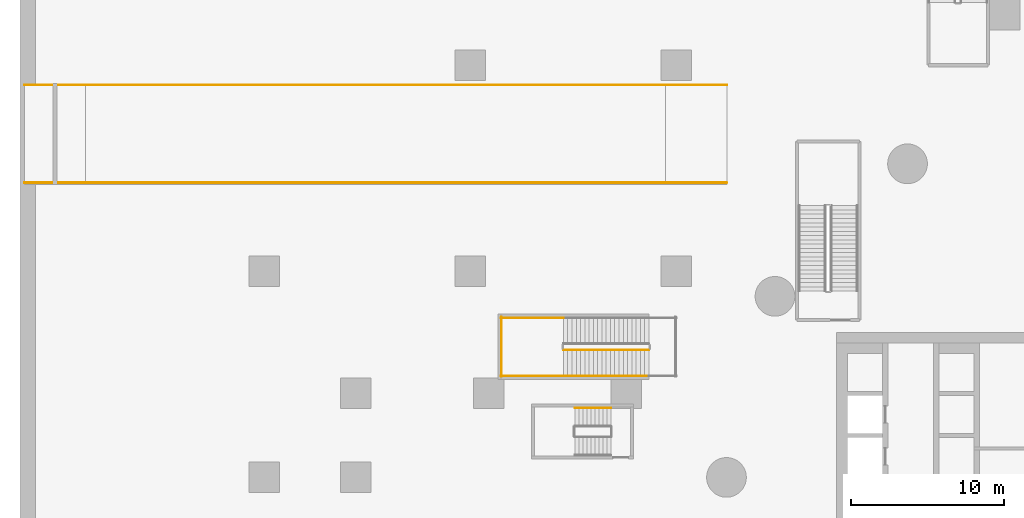
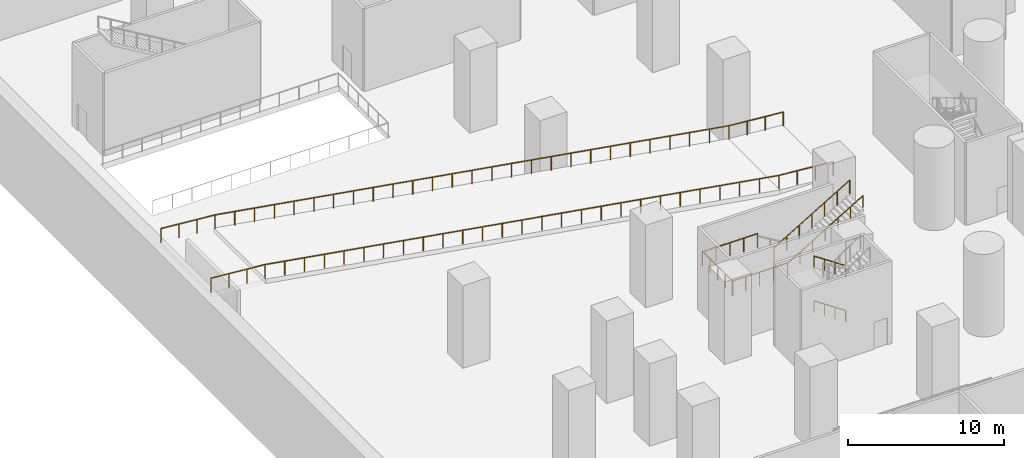
# One storey, part 28 of 37: 9 railings.
"""IFC4 building model written with IfcOpenShell, lengths in metres."""

from ifc_helpers import new_model, si_unit, direction, frame, origin, origin_2d, place, context, subcontext, project, spatial, circle, extrude, material, type_object, element, save


model = new_model("IFC4")

# Units and contexts
model_context = context("Model", 3, precision=1e-05, world=origin(), true_north=direction((0.0, 1.0)))
body_context = subcontext(model_context, "Body", "Model", "MODEL_VIEW")
ifc_project = project(units=[si_unit("LENGTHUNIT", "METRE"), si_unit("AREAUNIT", "SQUARE_METRE"), si_unit("VOLUMEUNIT", "CUBIC_METRE"), si_unit("PLANEANGLEUNIT", "RADIAN"), si_unit("MASSUNIT", "GRAM", prefix="KILO")], contexts=[model_context])

# Site, building, storey
site_placement = place(None, origin())
site = spatial("IfcSite", under=ifc_project, at=site_placement, CompositionType="ELEMENT")
building_placement = place(site_placement, origin())
building = spatial("IfcBuilding", under=site, at=building_placement, Name="Tamarind Cross Interchange Tower", CompositionType="ELEMENT")
storey_placement = place(building_placement, frame((0.0, 0.0, -7.0)))
storey = spatial("IfcBuildingStorey", under=building, at=storey_placement, Name="B1", CompositionType="ELEMENT", Elevation=-7.0)

# Railings
ifc_material_1 = material(Name="Steel Q355B", Category="steel")
railing_type_1 = type_object("IfcRailingType", Name="Car park ramp guard", PredefinedType="GUARDRAIL", material=ifc_material_1)
railing_1_placement = place(storey_placement, frame((-23.699951171875, 19.300048828125, 0.0)))
element("IfcRailing", 1, at=railing_1_placement, inside=storey, type_object=railing_type_1, Name="Car park ramp RA guard 1", PredefinedType="GUARDRAIL", context=body_context, shape_type="SweptSolid", body=[
    extrude(circle(Radius=0.02392578125, at=origin_2d()), frame((0.0, 0.0, 1.076171875), z_axis=(-0.996547435957, 0.0, 0.083025344854), x_axis=(0.0, -1.0, 0.0)), (0.0, 0.0, 1.0), 4.013916015625),
    extrude(circle(Radius=0.02392578125, at=origin_2d()), frame((-4.0, 0.0, 1.4091796875), z_axis=(-0.986393238706, 0.0, 0.164403098007), x_axis=(0.0, -1.0, 0.0)), (0.0, 0.0, 1.0), 38.524169921875),
    extrude(circle(Radius=0.02392578125, at=origin_2d()), frame((-42.0, 0.0, 7.74267578125), z_axis=(-0.996547435957, 0.0, 0.083025344854), x_axis=(0.0, -1.0, 0.0)), (0.0, 0.0, 1.0), 4.013916015625),
    extrude(circle(Radius=0.02099609375, at=origin_2d()), origin(), (0.0, 0.0, 1.0), 1.052001953125),
    extrude(circle(Radius=0.02099609375, at=origin_2d()), frame((-1.333251953125, 0.0, 0.111083984375)), (0.0, 0.0, 1.0), 1.052001953125),
    extrude(circle(Radius=0.02099609375, at=origin_2d()), frame((-2.666748046875, 0.0, 0.22216796875)), (0.0, 0.0, 1.0), 1.052001953125),
    extrude(circle(Radius=0.02099609375, at=origin_2d()), frame((-4.0, 0.0, 0.333251953125)), (0.0, 0.0, 1.0), 1.052001953125),
    extrude(circle(Radius=0.02099609375, at=origin_2d()), frame((-5.46142578125, 0.0, 0.576904296875)), (0.0, 0.0, 1.0), 1.052001953125),
    extrude(circle(Radius=0.02099609375, at=origin_2d()), frame((-6.923095703125, 0.0, 0.820556640625)), (0.0, 0.0, 1.0), 1.052001953125),
    extrude(circle(Radius=0.02099609375, at=origin_2d()), frame((-8.384521484375, 0.0, 1.06396484375)), (0.0, 0.0, 1.0), 1.052001953125),
    extrude(circle(Radius=0.02099609375, at=origin_2d()), frame((-9.84619140625, 0.0, 1.3076171875)), (0.0, 0.0, 1.0), 1.052001953125),
    extrude(circle(Radius=0.02099609375, at=origin_2d()), frame((-11.3076171875, 0.0, 1.55126953125)), (0.0, 0.0, 1.0), 1.052001953125),
    extrude(circle(Radius=0.02099609375, at=origin_2d()), frame((-12.769287109375, 0.0, 1.794921875)), (0.0, 0.0, 1.0), 1.052001953125),
    extrude(circle(Radius=0.02099609375, at=origin_2d()), frame((-14.230712890625, 0.0, 2.038330078125)), (0.0, 0.0, 1.0), 1.052001953125),
    extrude(circle(Radius=0.02099609375, at=origin_2d()), frame((-15.6923828125, 0.0, 2.281982421875)), (0.0, 0.0, 1.0), 1.052001953125),
    extrude(circle(Radius=0.02099609375, at=origin_2d()), frame((-17.15380859375, 0.0, 2.525634765625)), (0.0, 0.0, 1.0), 1.052001953125),
    extrude(circle(Radius=0.02099609375, at=origin_2d()), frame((-18.615478515625, 0.0, 2.769287109375)), (0.0, 0.0, 1.0), 1.052001953125),
    extrude(circle(Radius=0.02099609375, at=origin_2d()), frame((-20.076904296875, 0.0, 3.0126953125)), (0.0, 0.0, 1.0), 1.052001953125),
    extrude(circle(Radius=0.02099609375, at=origin_2d()), frame((-21.53857421875, 0.0, 3.25634765625)), (0.0, 0.0, 1.0), 1.052001953125),
    extrude(circle(Radius=0.02099609375, at=origin_2d()), frame((-23.0, 0.0, 3.5)), (0.0, 0.0, 1.0), 1.052001953125),
    extrude(circle(Radius=0.02099609375, at=origin_2d()), frame((-24.46142578125, 0.0, 3.74365234375)), (0.0, 0.0, 1.0), 1.052001953125),
    extrude(circle(Radius=0.02099609375, at=origin_2d()), frame((-25.923095703125, 0.0, 3.9873046875)), (0.0, 0.0, 1.0), 1.052001953125),
    extrude(circle(Radius=0.02099609375, at=origin_2d()), frame((-27.384521484375, 0.0, 4.230712890625)), (0.0, 0.0, 1.0), 1.052001953125),
    extrude(circle(Radius=0.02099609375, at=origin_2d()), frame((-28.84619140625, 0.0, 4.474365234375)), (0.0, 0.0, 1.0), 1.052001953125),
    extrude(circle(Radius=0.02099609375, at=origin_2d()), frame((-30.3076171875, 0.0, 4.718017578125)), (0.0, 0.0, 1.0), 1.052001953125),
    extrude(circle(Radius=0.02099609375, at=origin_2d()), frame((-31.769287109375, 0.0, 4.961669921875)), (0.0, 0.0, 1.0), 1.052001953125),
    extrude(circle(Radius=0.02099609375, at=origin_2d()), frame((-33.230712890625, 0.0, 5.205078125)), (0.0, 0.0, 1.0), 1.052001953125),
    extrude(circle(Radius=0.02099609375, at=origin_2d()), frame((-34.6923828125, 0.0, 5.44873046875)), (0.0, 0.0, 1.0), 1.052001953125),
    extrude(circle(Radius=0.02099609375, at=origin_2d()), frame((-36.15380859375, 0.0, 5.6923828125)), (0.0, 0.0, 1.0), 1.052001953125),
    extrude(circle(Radius=0.02099609375, at=origin_2d()), frame((-37.615478515625, 0.0, 5.93603515625)), (0.0, 0.0, 1.0), 1.052001953125),
    extrude(circle(Radius=0.02099609375, at=origin_2d()), frame((-39.076904296875, 0.0, 6.179443359375)), (0.0, 0.0, 1.0), 1.052001953125),
    extrude(circle(Radius=0.02099609375, at=origin_2d()), frame((-40.53857421875, 0.0, 6.423095703125)), (0.0, 0.0, 1.0), 1.052001953125),
    extrude(circle(Radius=0.02099609375, at=origin_2d()), frame((-42.0, 0.0, 6.666748046875)), (0.0, 0.0, 1.0), 1.052001953125),
    extrude(circle(Radius=0.02099609375, at=origin_2d()), frame((-43.333251953125, 0.0, 6.77783203125)), (0.0, 0.0, 1.0), 1.052001953125),
    extrude(circle(Radius=0.02099609375, at=origin_2d()), frame((-44.666748046875, 0.0, 6.888916015625)), (0.0, 0.0, 1.0), 1.052001953125),
    extrude(circle(Radius=0.02099609375, at=origin_2d()), frame((-46.0, 0.0, 7.0)), (0.0, 0.0, 1.0), 1.052001953125),
])
railing_2_placement = place(storey_placement, frame((-23.699951171875, 25.699951171875, 0.0)))
element("IfcRailing", 2, at=railing_2_placement, inside=storey, type_object=railing_type_1, Name="Car park ramp RA guard 2", PredefinedType="GUARDRAIL", context=body_context, shape_type="SweptSolid", body=[
    extrude(circle(Radius=0.02392578125, at=origin_2d()), frame((0.0, 0.0, 1.076171875), z_axis=(-0.996547435957, 0.0, 0.083025344854), x_axis=(0.0, -1.0, 0.0)), (0.0, 0.0, 1.0), 4.013916015625),
    extrude(circle(Radius=0.02392578125, at=origin_2d()), frame((-4.0, 0.0, 1.4091796875), z_axis=(-0.986393238706, 0.0, 0.164403098007), x_axis=(0.0, -1.0, 0.0)), (0.0, 0.0, 1.0), 38.524169921875),
    extrude(circle(Radius=0.02392578125, at=origin_2d()), frame((-42.0, 0.0, 7.74267578125), z_axis=(-0.996547435957, 0.0, 0.083025344854), x_axis=(0.0, -1.0, 0.0)), (0.0, 0.0, 1.0), 4.013916015625),
    extrude(circle(Radius=0.02099609375, at=origin_2d()), origin(), (0.0, 0.0, 1.0), 1.052001953125),
    extrude(circle(Radius=0.02099609375, at=origin_2d()), frame((-1.333251953125, 0.0, 0.111083984375)), (0.0, 0.0, 1.0), 1.052001953125),
    extrude(circle(Radius=0.02099609375, at=origin_2d()), frame((-2.666748046875, 0.0, 0.22216796875)), (0.0, 0.0, 1.0), 1.052001953125),
    extrude(circle(Radius=0.02099609375, at=origin_2d()), frame((-4.0, 0.0, 0.333251953125)), (0.0, 0.0, 1.0), 1.052001953125),
    extrude(circle(Radius=0.02099609375, at=origin_2d()), frame((-5.46142578125, 0.0, 0.576904296875)), (0.0, 0.0, 1.0), 1.052001953125),
    extrude(circle(Radius=0.02099609375, at=origin_2d()), frame((-6.923095703125, 0.0, 0.820556640625)), (0.0, 0.0, 1.0), 1.052001953125),
    extrude(circle(Radius=0.02099609375, at=origin_2d()), frame((-8.384521484375, 0.0, 1.06396484375)), (0.0, 0.0, 1.0), 1.052001953125),
    extrude(circle(Radius=0.02099609375, at=origin_2d()), frame((-9.84619140625, 0.0, 1.3076171875)), (0.0, 0.0, 1.0), 1.052001953125),
    extrude(circle(Radius=0.02099609375, at=origin_2d()), frame((-11.3076171875, 0.0, 1.55126953125)), (0.0, 0.0, 1.0), 1.052001953125),
    extrude(circle(Radius=0.02099609375, at=origin_2d()), frame((-12.769287109375, 0.0, 1.794921875)), (0.0, 0.0, 1.0), 1.052001953125),
    extrude(circle(Radius=0.02099609375, at=origin_2d()), frame((-14.230712890625, 0.0, 2.038330078125)), (0.0, 0.0, 1.0), 1.052001953125),
    extrude(circle(Radius=0.02099609375, at=origin_2d()), frame((-15.6923828125, 0.0, 2.281982421875)), (0.0, 0.0, 1.0), 1.052001953125),
    extrude(circle(Radius=0.02099609375, at=origin_2d()), frame((-17.15380859375, 0.0, 2.525634765625)), (0.0, 0.0, 1.0), 1.052001953125),
    extrude(circle(Radius=0.02099609375, at=origin_2d()), frame((-18.615478515625, 0.0, 2.769287109375)), (0.0, 0.0, 1.0), 1.052001953125),
    extrude(circle(Radius=0.02099609375, at=origin_2d()), frame((-20.076904296875, 0.0, 3.0126953125)), (0.0, 0.0, 1.0), 1.052001953125),
    extrude(circle(Radius=0.02099609375, at=origin_2d()), frame((-21.53857421875, 0.0, 3.25634765625)), (0.0, 0.0, 1.0), 1.052001953125),
    extrude(circle(Radius=0.02099609375, at=origin_2d()), frame((-23.0, 0.0, 3.5)), (0.0, 0.0, 1.0), 1.052001953125),
    extrude(circle(Radius=0.02099609375, at=origin_2d()), frame((-24.46142578125, 0.0, 3.74365234375)), (0.0, 0.0, 1.0), 1.052001953125),
    extrude(circle(Radius=0.02099609375, at=origin_2d()), frame((-25.923095703125, 0.0, 3.9873046875)), (0.0, 0.0, 1.0), 1.052001953125),
    extrude(circle(Radius=0.02099609375, at=origin_2d()), frame((-27.384521484375, 0.0, 4.230712890625)), (0.0, 0.0, 1.0), 1.052001953125),
    extrude(circle(Radius=0.02099609375, at=origin_2d()), frame((-28.84619140625, 0.0, 4.474365234375)), (0.0, 0.0, 1.0), 1.052001953125),
    extrude(circle(Radius=0.02099609375, at=origin_2d()), frame((-30.3076171875, 0.0, 4.718017578125)), (0.0, 0.0, 1.0), 1.052001953125),
    extrude(circle(Radius=0.02099609375, at=origin_2d()), frame((-31.769287109375, 0.0, 4.961669921875)), (0.0, 0.0, 1.0), 1.052001953125),
    extrude(circle(Radius=0.02099609375, at=origin_2d()), frame((-33.230712890625, 0.0, 5.205078125)), (0.0, 0.0, 1.0), 1.052001953125),
    extrude(circle(Radius=0.02099609375, at=origin_2d()), frame((-34.6923828125, 0.0, 5.44873046875)), (0.0, 0.0, 1.0), 1.052001953125),
    extrude(circle(Radius=0.02099609375, at=origin_2d()), frame((-36.15380859375, 0.0, 5.6923828125)), (0.0, 0.0, 1.0), 1.052001953125),
    extrude(circle(Radius=0.02099609375, at=origin_2d()), frame((-37.615478515625, 0.0, 5.93603515625)), (0.0, 0.0, 1.0), 1.052001953125),
    extrude(circle(Radius=0.02099609375, at=origin_2d()), frame((-39.076904296875, 0.0, 6.179443359375)), (0.0, 0.0, 1.0), 1.052001953125),
    extrude(circle(Radius=0.02099609375, at=origin_2d()), frame((-40.53857421875, 0.0, 6.423095703125)), (0.0, 0.0, 1.0), 1.052001953125),
    extrude(circle(Radius=0.02099609375, at=origin_2d()), frame((-42.0, 0.0, 6.666748046875)), (0.0, 0.0, 1.0), 1.052001953125),
    extrude(circle(Radius=0.02099609375, at=origin_2d()), frame((-43.333251953125, 0.0, 6.77783203125)), (0.0, 0.0, 1.0), 1.052001953125),
    extrude(circle(Radius=0.02099609375, at=origin_2d()), frame((-44.666748046875, 0.0, 6.888916015625)), (0.0, 0.0, 1.0), 1.052001953125),
    extrude(circle(Radius=0.02099609375, at=origin_2d()), frame((-46.0, 0.0, 7.0)), (0.0, 0.0, 1.0), 1.052001953125),
])
ifc_material_2 = material(Name="Public stair guard")
railing_type_2 = type_object("IfcRailingType", Name="Public stair guard", PredefinedType="GUARDRAIL", material=ifc_material_2)
for number, where, name in (
    (3, (-34.39990234375, 10.449951171875, 3.5), "B1 PS-W stair guard 3"),
    (4, (-34.39990234375, 6.64990234375, 3.5), "B1 PS-W stair guard 4"),
):
    element("IfcRailing", number, at=place(storey_placement, frame(where)), inside=storey, type_object=railing_type_2, Name=name, PredefinedType="GUARDRAIL", context=body_context, shape_type="SweptSolid", body=[
        extrude(circle(Radius=0.02392578125, at=origin_2d()), frame((0.0, 0.0, 1.076171875), z_axis=(-1.0, 0.0, 0.0), x_axis=(0.0, -1.0, 0.0)), (0.0, 0.0, 1.0), 4.10009765625),
        extrude(circle(Radius=0.02099609375, at=origin_2d()), origin(), (0.0, 0.0, 1.0), 1.052001953125),
        extrude(circle(Radius=0.02099609375, at=origin_2d()), frame((-1.02490234375, 0.0, 0.0)), (0.0, 0.0, 1.0), 1.052001953125),
        extrude(circle(Radius=0.02099609375, at=origin_2d()), frame((-2.050048828125, 0.0, 0.0)), (0.0, 0.0, 1.0), 1.052001953125),
        extrude(circle(Radius=0.02099609375, at=origin_2d()), frame((-3.0751953125, 0.0, 0.0)), (0.0, 0.0, 1.0), 1.052001953125),
        extrude(circle(Radius=0.02099609375, at=origin_2d()), frame((-4.10009765625, 0.0, 0.0)), (0.0, 0.0, 1.0), 1.052001953125),
    ])
railing_3_placement = place(storey_placement, frame((-38.449951171875, 10.5, 3.5)))
element("IfcRailing", 5, at=railing_3_placement, inside=storey, type_object=railing_type_2, Name="B1 PS-W stair guard 5", PredefinedType="GUARDRAIL", context=body_context, shape_type="SweptSolid", body=[
    extrude(circle(Radius=0.02392578125, at=origin_2d()), frame((0.0, 0.0, 1.076171875), z_axis=(0.0, -1.0, 0.0), x_axis=(1.0, 0.0, 0.0)), (0.0, 0.0, 1.0), 3.89990234375),
    extrude(circle(Radius=0.02099609375, at=origin_2d()), origin(), (0.0, 0.0, 1.0), 1.052001953125),
    extrude(circle(Radius=0.02099609375, at=origin_2d()), frame((0.0, -0.97509765625, 0.0)), (0.0, 0.0, 1.0), 1.052001953125),
    extrude(circle(Radius=0.02099609375, at=origin_2d()), frame((0.0, -1.949951171875, 0.0)), (0.0, 0.0, 1.0), 1.052001953125),
    extrude(circle(Radius=0.02099609375, at=origin_2d()), frame((0.0, -2.9248046875, 0.0)), (0.0, 0.0, 1.0), 1.052001953125),
    extrude(circle(Radius=0.02099609375, at=origin_2d()), frame((0.0, -3.89990234375, 0.0)), (0.0, 0.0, 1.0), 1.052001953125),
])
railing_4_placement = place(storey_placement, frame((-34.39990234375, 8.35009765625, 3.666748046875)))
element("IfcRailing", 6, at=railing_4_placement, inside=storey, type_object=railing_type_2, Name="B1 PS-W stair guard 6", PredefinedType="GUARDRAIL", context=body_context, shape_type="SweptSolid", body=[
    extrude(circle(Radius=0.02392578125, at=origin_2d()), frame((0.0, 0.0, 1.076171875), z_axis=(0.859292492371, 0.0, 0.511484518392), x_axis=(0.0, 1.0, 0.0)), (0.0, 0.0, 1.0), 6.516845703125),
    extrude(circle(Radius=0.02099609375, at=origin_2d()), origin(), (0.0, 0.0, 1.0), 1.052001953125),
    extrude(circle(Radius=0.02099609375, at=origin_2d()), frame((0.933349609375, 0.0, 0.5556640625)), (0.0, 0.0, 1.0), 1.052001953125),
    extrude(circle(Radius=0.02099609375, at=origin_2d()), frame((1.86669921875, 0.0, 1.111083984375)), (0.0, 0.0, 1.0), 1.052001953125),
    extrude(circle(Radius=0.02099609375, at=origin_2d()), frame((2.7998046875, 0.0, 1.66650390625)), (0.0, 0.0, 1.0), 1.052001953125),
    extrude(circle(Radius=0.02099609375, at=origin_2d()), frame((3.733154296875, 0.0, 2.22216796875)), (0.0, 0.0, 1.0), 1.052001953125),
    extrude(circle(Radius=0.02099609375, at=origin_2d()), frame((4.66650390625, 0.0, 2.77783203125)), (0.0, 0.0, 1.0), 1.052001953125),
    extrude(circle(Radius=0.02099609375, at=origin_2d()), frame((5.599853515625, 0.0, 3.333251953125)), (0.0, 0.0, 1.0), 1.052001953125),
])
ifc_material_3 = material(Name="Public stair handrail")
railing_type_3 = type_object("IfcRailingType", Name="Public stair handrail", PredefinedType="HANDRAIL", material=ifc_material_3)
railing_5_placement = place(storey_placement, frame((-34.39990234375, 6.64990234375, 3.666748046875)))
element("IfcRailing", 7, at=railing_5_placement, inside=storey, type_object=railing_type_3, Name="B1 PS-W stair handrail 2", PredefinedType="HANDRAIL", context=body_context, shape_type="SweptSolid", body=[
    extrude(circle(Radius=0.02392578125, at=origin_2d()), frame((0.0, 0.0, 0.8759765625), z_axis=(0.859292492371, 0.0, 0.511484518392), x_axis=(0.0, 1.0, 0.0)), (0.0, 0.0, 1.0), 6.516845703125),
    extrude(circle(Radius=0.02099609375, at=origin_2d()), origin(), (0.0, 0.0, 1.0), 0.851806640625),
    extrude(circle(Radius=0.02099609375, at=origin_2d()), frame((0.933349609375, 0.0, 0.5556640625)), (0.0, 0.0, 1.0), 0.851806640625),
    extrude(circle(Radius=0.02099609375, at=origin_2d()), frame((1.86669921875, 0.0, 1.111083984375)), (0.0, 0.0, 1.0), 0.851806640625),
    extrude(circle(Radius=0.02099609375, at=origin_2d()), frame((2.7998046875, 0.0, 1.66650390625)), (0.0, 0.0, 1.0), 0.851806640625),
    extrude(circle(Radius=0.02099609375, at=origin_2d()), frame((3.733154296875, 0.0, 2.22216796875)), (0.0, 0.0, 1.0), 0.851806640625),
    extrude(circle(Radius=0.02099609375, at=origin_2d()), frame((4.66650390625, 0.0, 2.77783203125)), (0.0, 0.0, 1.0), 0.851806640625),
    extrude(circle(Radius=0.02099609375, at=origin_2d()), frame((5.599853515625, 0.0, 3.333251953125)), (0.0, 0.0, 1.0), 0.851806640625),
])
ifc_material_4 = material(Name="Stair handrail")
railing_type_4 = type_object("IfcRailingType", Name="Stair handrail", PredefinedType="HANDRAIL", material=ifc_material_4)
for number, where, name in (
    (8, (-31.300048828125, 4.550048828125, 0.175048828125), "B1 ST5 stair handrail 1"),
    (9, (-31.300048828125, 4.550048828125, 3.675048828125), "B1 ST5 stair handrail 3"),
):
    element("IfcRailing", number, at=place(storey_placement, frame(where)), inside=storey, type_object=railing_type_4, Name=name, PredefinedType="HANDRAIL", context=body_context, shape_type="SweptSolid", body=[
        extrude(circle(Radius=0.02392578125, at=origin_2d()), frame((0.0, 0.0, 0.8759765625), z_axis=(-0.829578494604, 0.0, 0.558390115681), x_axis=(0.0, -1.0, 0.0)), (0.0, 0.0, 1.0), 2.820556640625),
        extrude(circle(Radius=0.02099609375, at=origin_2d()), origin(), (0.0, 0.0, 1.0), 0.851806640625),
        extrude(circle(Radius=0.02099609375, at=origin_2d()), frame((-0.780029296875, 0.0, 0.52490234375)), (0.0, 0.0, 1.0), 0.851806640625),
        extrude(circle(Radius=0.02099609375, at=origin_2d()), frame((-1.559814453125, 0.0, 1.050048828125)), (0.0, 0.0, 1.0), 0.851806640625),
        extrude(circle(Radius=0.02099609375, at=origin_2d()), frame((-2.33984375, 0.0, 1.574951171875)), (0.0, 0.0, 1.0), 0.851806640625),
    ])

save(model, "model.ifc")
